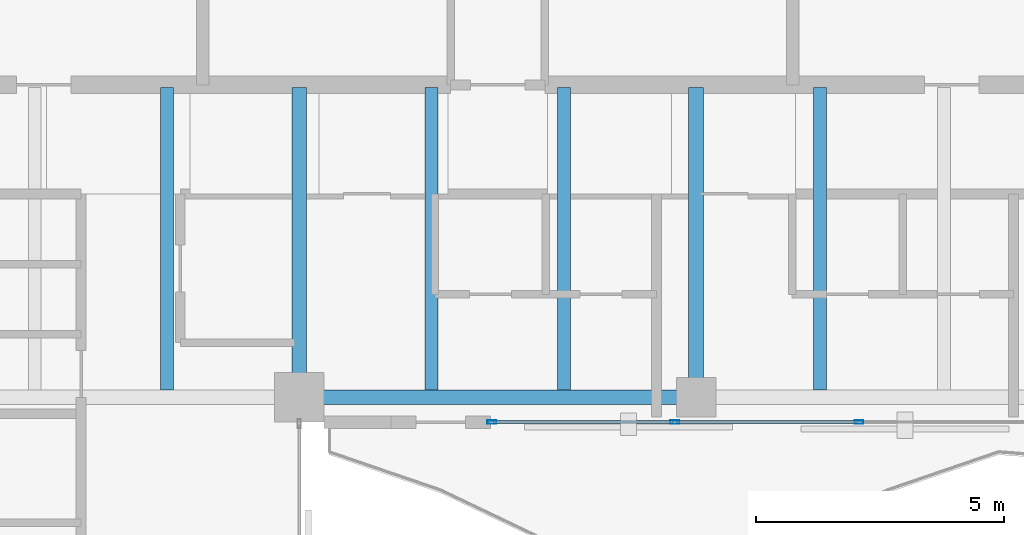
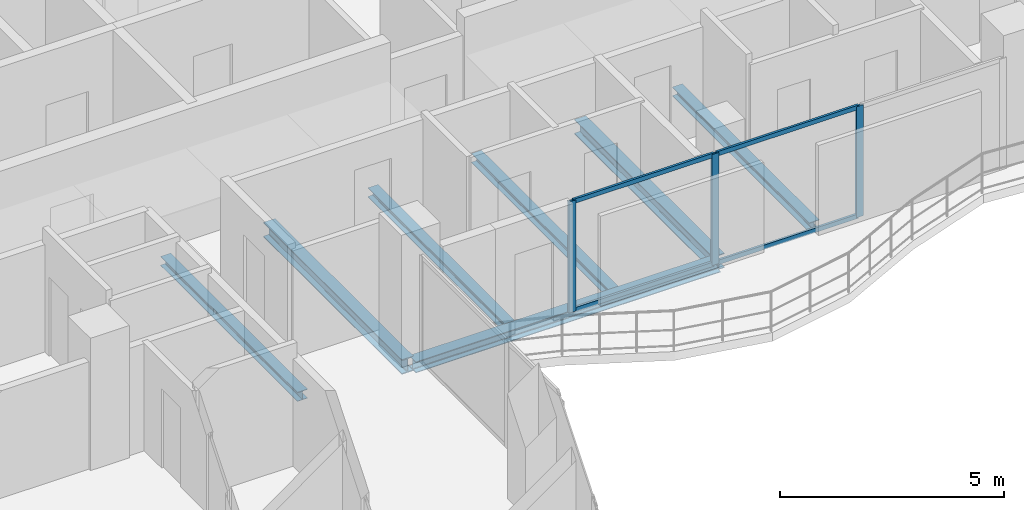
# One storey, part 11 of 23: 7 beams, 7 members, 1 element without a shape of its own.
"""IFC4 building model written with IfcOpenShell, lengths in metres."""

from ifc_helpers import new_model, si_unit, direction, frame, origin, origin_2d, place, context, subcontext, project, spatial, hollow_rectangle, i_section, extrude, material, layer, layer_set, material_profile, profile_set, type_object, element, aggregate, save


model = new_model("IFC4")

# Units and contexts
model_context = context("Model", 3, precision=1e-05, world=origin(), true_north=direction((0.0, 1.0)))
body_context = subcontext(model_context, "Body", "Model", "MODEL_VIEW")
ifc_project = project(units=[si_unit("LENGTHUNIT", "METRE"), si_unit("AREAUNIT", "SQUARE_METRE"), si_unit("VOLUMEUNIT", "CUBIC_METRE"), si_unit("PLANEANGLEUNIT", "RADIAN"), si_unit("MASSUNIT", "GRAM", prefix="KILO")], contexts=[model_context])

# Site, building, storey
site_placement = place(None, origin())
site = spatial("IfcSite", under=ifc_project, at=site_placement, CompositionType="ELEMENT")
building_placement = place(site_placement, origin())
building = spatial("IfcBuilding", under=site, at=building_placement, Name="Catumbela Crestline Tower", CompositionType="ELEMENT")
storey_placement = place(building_placement, frame((0.0, 0.0, 183.0)))
storey = spatial("IfcBuildingStorey", under=building, at=storey_placement, Name="L47", CompositionType="ELEMENT", Elevation=183.0)

# Beams
ifc_material_1 = material(Name="Structural steel S355J2", Category="steel")
ifc_material_profile_1 = material_profile(ifc_material_1, i_section(OverallWidth=0.3, OverallDepth=0.4, WebThickness=0.0135, FlangeThickness=0.024, FilletRadius=0.027, at=origin_2d()), Name="HEB 400")
ifc_profile_set_1 = profile_set([ifc_material_profile_1], Name="Structural steel S355J2")
beam_type_1 = type_object("IfcBeamType", Name="BG-HEB400", PredefinedType="BEAM", material=ifc_profile_set_1)
for number, where, z_axis, x_axis, name in (
    (1, (24.0, 24.58, -0.46), (0.0, 1.0, 0.0), (-1.0, 0.0, 0.0), "L47 Beam BM-L47-SNS18"),
    (2, (32.0, 24.58, -0.46), (0.0, 1.0, 0.0), (-1.0, 0.0, 0.0), "L47 Beam BM-L47-SNS19"),
):
    element("IfcBeam", number, at=place(storey_placement, frame(where, z_axis=z_axis, x_axis=x_axis)), inside=storey, type_object=beam_type_1, Name=name, PredefinedType="BEAM", context=body_context, shape_type="SweptSolid", body=[
        extrude(i_section(OverallWidth=0.3, OverallDepth=0.4, WebThickness=0.0135, FlangeThickness=0.024, FilletRadius=0.027, at=origin_2d()), origin(), (0.0, 0.0, 1.0), 6.17),
    ])
ifc_material_profile_2 = material_profile(ifc_material_1, i_section(OverallWidth=0.26, OverallDepth=0.25, WebThickness=0.0075, FlangeThickness=0.0125, FilletRadius=0.024, at=origin_2d()), Name="HEA 260")
ifc_profile_set_2 = profile_set([ifc_material_profile_2], Name="Structural steel S355J2")
beam_type_2 = type_object("IfcBeamType", Name="BJ-HEA260", PredefinedType="JOIST", material=ifc_profile_set_2)
for number, where, z_axis, x_axis, name in (
    (3, (21.333, 24.647, -0.385), (0.0, 1.0, 0.0), (-1.0, 0.0, 0.0), "L47 Joist JS-L47-SP27"),
    (4, (26.667, 24.647, -0.385), (0.0, 1.0, 0.0), (-1.0, 0.0, 0.0), "L47 Joist JS-L47-SP28"),
    (5, (29.333, 24.647, -0.385), (0.0, 1.0, 0.0), (-1.0, 0.0, 0.0), "L47 Joist JS-L47-SP29"),
    (6, (34.5, 24.647, -0.385), (0.0, 1.0, 0.0), (-1.0, 0.0, 0.0), "L47 Joist JS-L47-SP30"),
):
    element("IfcBeam", number, at=place(storey_placement, frame(where, z_axis=z_axis, x_axis=x_axis)), inside=storey, type_object=beam_type_2, Name=name, PredefinedType="JOIST", context=body_context, shape_type="SweptSolid", body=[
        extrude(i_section(OverallWidth=0.26, OverallDepth=0.25, WebThickness=0.0075, FlangeThickness=0.0125, FilletRadius=0.024, at=origin_2d()), origin(), (0.0, 0.0, 1.0), 6.103),
    ])

# Curtain wall, members
ifc_material_2 = material(Name="Aluminium alloy AW-6060-T66", Category="aluminium")
ifc_layer = layer(ifc_material_2, 0.18, Name="Aluminium alloy AW-6060-T66")
ifc_layer_set = layer_set([ifc_layer], Name="Aluminium alloy AW-6060-T66")
curtain_wall_type = type_object("IfcCurtainWallType", Name="CWU-Z3", PredefinedType="USERDEFINED", material=ifc_layer_set)
curtain_wall_placement = place(storey_placement, origin())
curtain_wall = element("IfcCurtainWall", 7, at=curtain_wall_placement, inside=storey, type_object=curtain_wall_type, Name="L47 Unitised Curtain Wall CW-L47-E3S2", ObjectType="UNITISED", PredefinedType="USERDEFINED")
ifc_material_profile_3 = material_profile(ifc_material_2, hollow_rectangle(XDim=0.065, YDim=0.18, WallThickness=0.004, at=origin_2d()), Name="ALU 180x65x4")
ifc_profile_set_3 = profile_set([ifc_material_profile_3], Name="Aluminium alloy AW-6060-T66")
member_type_1 = type_object("IfcMemberType", Name="MUL-180X65", PredefinedType="MULLION", material=ifc_profile_set_3)
member_1_placement = place(storey_placement, frame((27.8825, 24.0, 0.0), z_axis=(0.0, 0.0, 1.0), x_axis=(0.0, 1.0, 0.0)))
member_1 = element("IfcMember", 8, at=member_1_placement, type_object=member_type_1, Name="CWU-Z3 mullion 1", PredefinedType="MULLION", context=body_context, shape_type="SweptSolid", body=[
    extrude(hollow_rectangle(XDim=0.065, YDim=0.18, WallThickness=0.004, at=origin_2d()), origin(), (0.0, 0.0, 1.0), 3.02),
])
member_2_placement = place(storey_placement, frame((31.5667, 24.0, 0.0), z_axis=(0.0, 0.0, 1.0), x_axis=(0.0, 1.0, 0.0)))
member_2 = element("IfcMember", 9, at=member_2_placement, type_object=member_type_1, Name="CWU-Z3 mullion 2", PredefinedType="MULLION", context=body_context, shape_type="SweptSolid", body=[
    extrude(hollow_rectangle(XDim=0.065, YDim=0.18, WallThickness=0.004, at=origin_2d()), origin(), (0.0, 0.0, 1.0), 3.02),
])
member_3_placement = place(storey_placement, frame((35.2833, 24.0, 0.0), z_axis=(0.0, 0.0, 1.0), x_axis=(0.0, 1.0, 0.0)))
member_3 = element("IfcMember", 10, at=member_3_placement, type_object=member_type_1, Name="CWU-Z3 mullion 3", PredefinedType="MULLION", context=body_context, shape_type="SweptSolid", body=[
    extrude(hollow_rectangle(XDim=0.065, YDim=0.18, WallThickness=0.004, at=origin_2d()), origin(), (0.0, 0.0, 1.0), 3.02),
])

# Beam
ifc_material_profile_4 = material_profile(ifc_material_1, i_section(OverallWidth=0.3, OverallDepth=0.3, WebThickness=0.011, FlangeThickness=0.019, FilletRadius=0.027, at=origin_2d()), Name="HEB 300")
ifc_profile_set_4 = profile_set([ifc_material_profile_4], Name="Structural steel S355J2")
beam_type_3 = type_object("IfcBeamType", Name="BS-HEB300", PredefinedType="SPANDREL", material=ifc_profile_set_4)
beam_placement = place(storey_placement, frame((24.08, 24.5, -0.41), z_axis=(1.0, 0.0, 0.0), x_axis=(0.0, 1.0, 0.0)))
element("IfcBeam", 11, at=beam_placement, inside=storey, type_object=beam_type_3, Name="L47 Spandrel SP-L47-S04", PredefinedType="SPANDREL", context=body_context, shape_type="SweptSolid", body=[
    extrude(i_section(OverallWidth=0.3, OverallDepth=0.3, WebThickness=0.011, FlangeThickness=0.019, FilletRadius=0.027, at=origin_2d()), origin(), (0.0, 0.0, 1.0), 7.84),
])

# Member
ifc_material_profile_5 = material_profile(ifc_material_2, hollow_rectangle(XDim=0.06, YDim=0.12, WallThickness=0.0035, at=origin_2d()), Name="ALU 120x60x3.5")
ifc_profile_set_5 = profile_set([ifc_material_profile_5], Name="Aluminium alloy AW-6060-T66")
member_type_2 = type_object("IfcMemberType", Name="TRN-120X60", PredefinedType="USERDEFINED", material=ifc_profile_set_5)
member_4_placement = place(storey_placement, frame((27.915, 24.0, 0.03), z_axis=(1.0, 0.0, 0.0), x_axis=(0.0, 1.0, 0.0)))
member_4 = element("IfcMember", 12, at=member_4_placement, type_object=member_type_2, Name="CWU-Z3 transom 1.1", ObjectType="TRANSOM", PredefinedType="USERDEFINED", context=body_context, shape_type="SweptSolid", body=[
    extrude(hollow_rectangle(XDim=0.06, YDim=0.12, WallThickness=0.0035, at=origin_2d()), origin(), (0.0, 0.0, 1.0), 3.6192),
])

member_5_placement = place(storey_placement, frame((27.915, 24.0, 2.99), z_axis=(1.0, 0.0, 0.0), x_axis=(0.0, 1.0, 0.0)))
member_5 = element("IfcMember", 13, at=member_5_placement, type_object=member_type_2, Name="CWU-Z3 transom 1.2", ObjectType="TRANSOM", PredefinedType="USERDEFINED", context=body_context, shape_type="SweptSolid", body=[
    extrude(hollow_rectangle(XDim=0.06, YDim=0.12, WallThickness=0.0035, at=origin_2d()), origin(), (0.0, 0.0, 1.0), 3.6192),
])

member_6_placement = place(storey_placement, frame((31.5992, 24.0, 0.03), z_axis=(1.0, 0.0, 0.0), x_axis=(0.0, 1.0, 0.0)))
member_6 = element("IfcMember", 14, at=member_6_placement, type_object=member_type_2, Name="CWU-Z3 transom 2.1", ObjectType="TRANSOM", PredefinedType="USERDEFINED", context=body_context, shape_type="SweptSolid", body=[
    extrude(hollow_rectangle(XDim=0.06, YDim=0.12, WallThickness=0.0035, at=origin_2d()), origin(), (0.0, 0.0, 1.0), 3.6516),
])

member_7_placement = place(storey_placement, frame((31.5992, 24.0, 2.99), z_axis=(1.0, 0.0, 0.0), x_axis=(0.0, 1.0, 0.0)))
member_7 = element("IfcMember", 15, at=member_7_placement, type_object=member_type_2, Name="CWU-Z3 transom 2.2", ObjectType="TRANSOM", PredefinedType="USERDEFINED", context=body_context, shape_type="SweptSolid", body=[
    extrude(hollow_rectangle(XDim=0.06, YDim=0.12, WallThickness=0.0035, at=origin_2d()), origin(), (0.0, 0.0, 1.0), 3.6516),
])

aggregate(curtain_wall, [member_1, member_2, member_3, member_4, member_5, member_6, member_7])

save(model, "model.ifc")
